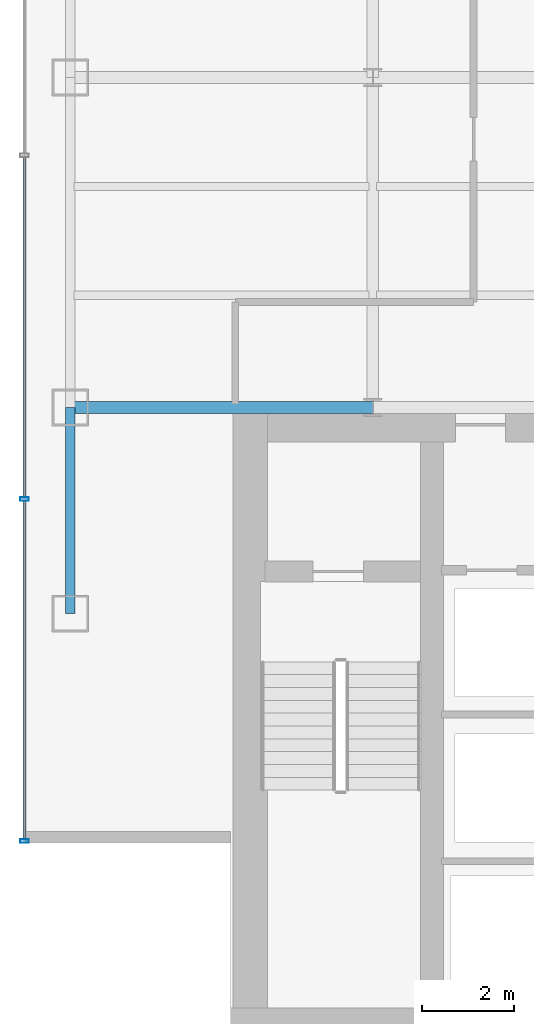
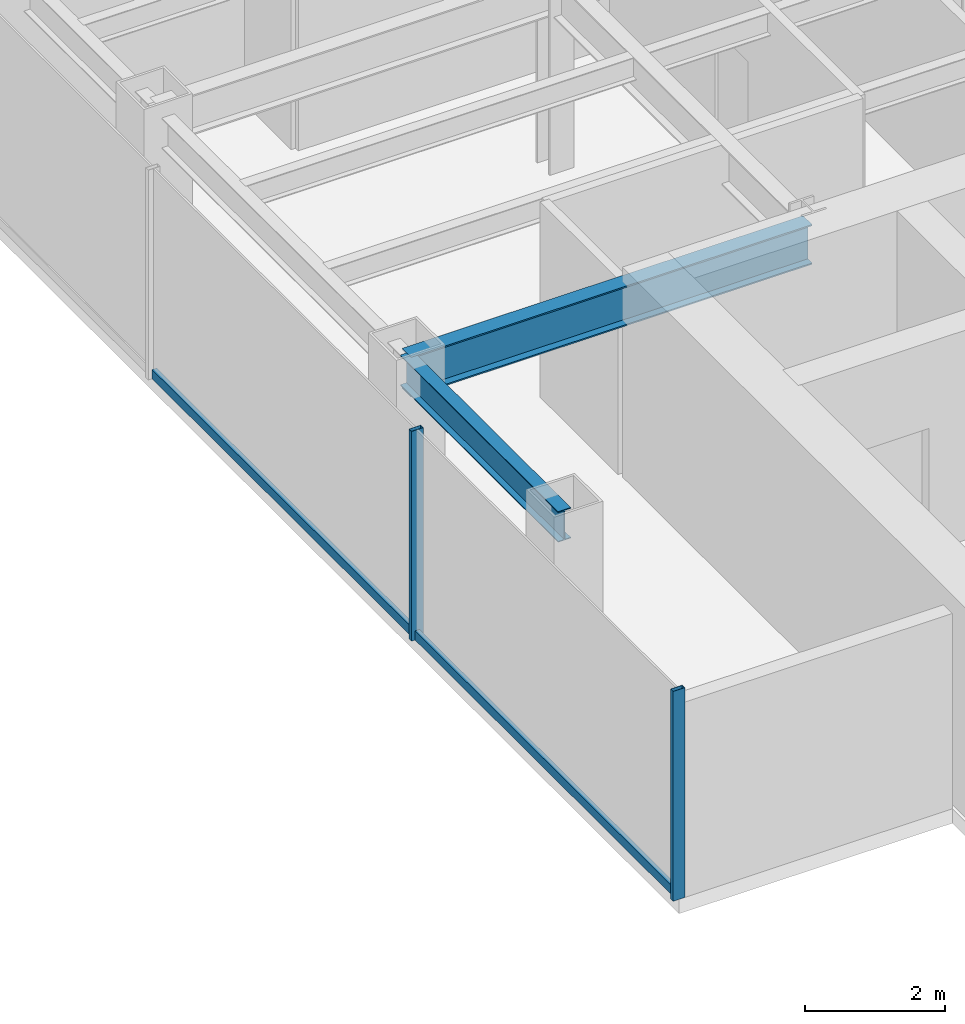
# One storey, part 2 of 26: 4 members, 2 beams, 1 element without a shape of its own.
"""IFC4 building model written with IfcOpenShell, lengths in metres."""

from ifc_helpers import new_model, si_unit, derived_unit, direction, frame, origin, origin_2d, place, context, subcontext, project, spatial, hollow_rectangle, i_section, extrude, source, transform, mapped, material, material_profile, profile_set, type_object, element, aggregate, save


model = new_model("IFC4")

# Units and contexts
model_context = context("Model", 3, precision=1e-05, world=origin(), true_north=direction((0.0, 1.0)))
body_context = subcontext(model_context, "Body", "Model", "MODEL_VIEW")
ifc_project = project(units=[si_unit("LENGTHUNIT", "METRE"), si_unit("AREAUNIT", "SQUARE_METRE"), si_unit("VOLUMEUNIT", "CUBIC_METRE"), si_unit("PLANEANGLEUNIT", "RADIAN"), si_unit("MASSUNIT", "GRAM", prefix="KILO"), derived_unit("THERMALTRANSMITTANCEUNIT", [(si_unit("POWERUNIT", "WATT"), 1), (si_unit("LENGTHUNIT", "METRE"), -2), (si_unit("THERMODYNAMICTEMPERATUREUNIT", "KELVIN"), -1)])], contexts=[model_context])

# Site, building, storey
site_placement = place(None, origin())
site = spatial("IfcSite", under=ifc_project, at=site_placement, CompositionType="ELEMENT")
building_placement = place(site_placement, origin())
building = spatial("IfcBuilding", under=site, at=building_placement, Name="Skarnbrae Concourse Arena and Tower", CompositionType="ELEMENT")
storey_placement = place(building_placement, frame((0.0, 0.0, 106.89990234375)))
storey = spatial("IfcBuildingStorey", under=building, at=storey_placement, Name="L26", CompositionType="ELEMENT", Elevation=106.89990234375)

# Beams
ifc_material_1 = material(Name="Steel CSA G40.21 350W", Category="steel")
ifc_material_profile_1 = material_profile(ifc_material_1, i_section(OverallWidth=0.256103515625, OverallDepth=0.693115234375, WebThickness=0.014404296875, FlangeThickness=0.023681640625, at=origin_2d()), Name="W690X170")
ifc_profile_set_1 = profile_set([ifc_material_profile_1], Name="Steel CSA G40.21 350W")
beam_type_1 = type_object("IfcBeamType", Name="BM-GIRD-W690X170", PredefinedType="BEAM", material=ifc_profile_set_1)
shared_shape_1 = source(origin(), body_context, "Body", "SweptSolid", [
    extrude(i_section(OverallWidth=0.256103515625, OverallDepth=0.693115234375, WebThickness=0.014404296875, FlangeThickness=0.023681640625, at=origin_2d()), origin(), (0.0, 0.0, 1.0), 6.60009765625),
])
beam_1_placement = place(storey_placement, frame((1.0, 14.0, 3.0537109375), z_axis=(1.0, 0.0, 0.0), x_axis=(0.0, 1.0, 0.0)))
element("IfcBeam", 1, at=beam_1_placement, inside=storey, type_object=beam_type_1, Name="L26 Primary E-W girder Y14.0-1", PredefinedType="BEAM", context=body_context, shape_type="MappedRepresentation", body=[
    mapped(shared_shape_1, transform((0.0, 0.0, 0.0))),
])
ifc_material_profile_2 = material_profile(ifc_material_1, i_section(OverallWidth=0.208984375, OverallDepth=0.532958984375, WebThickness=0.01025390625, FlangeThickness=0.015625, at=origin_2d()), Name="W530X92")
ifc_profile_set_2 = profile_set([ifc_material_profile_2], Name="Steel CSA G40.21 350W")
beam_type_2 = type_object("IfcBeamType", Name="BM-SPAN-W530X92", PredefinedType="SPANDREL", material=ifc_profile_set_2)
shared_shape_2 = source(origin(), body_context, "Body", "SweptSolid", [
    extrude(i_section(OverallWidth=0.208984375, OverallDepth=0.532958984375, WebThickness=0.01025390625, FlangeThickness=0.015625, at=origin_2d()), origin(), (0.0, 0.0, 1.0), 4.5),
])
beam_2_placement = place(storey_placement, frame((1.0, 9.5, 3.133544921875), z_axis=(0.0, 1.0, 0.0), x_axis=(-1.0, 0.0, 0.0)))
element("IfcBeam", 2, at=beam_2_placement, inside=storey, type_object=beam_type_2, Name="L26 Perimeter spandrel X1.0-1", PredefinedType="SPANDREL", context=body_context, shape_type="MappedRepresentation", body=[
    mapped(shared_shape_2, transform((0.0, 0.0, 0.0))),
])

# Curtain wall, members
ifc_material_2 = material(Name="Bronze anodised aluminium 6063-T6", Category="aluminium")
curtain_wall_type = type_object("IfcCurtainWallType", Name="CW-SYS-04-MIDZONE", PredefinedType="USERDEFINED", material=ifc_material_2)
curtain_wall_placement = place(storey_placement, origin())
curtain_wall = element("IfcCurtainWall", 3, at=curtain_wall_placement, inside=storey, type_object=curtain_wall_type, Name="L26 Unitised curtain wall CW-L26-E19", ObjectType="UNITISED CURTAIN WALL", PredefinedType="USERDEFINED")
ifc_material_profile_3 = material_profile(ifc_material_2, hollow_rectangle(XDim=0.074951171875, YDim=0.195068359375, WallThickness=0.00439453125, at=origin_2d()), Name="ALU-MULL-75X195")
ifc_profile_set_3 = profile_set([ifc_material_profile_3], Name="Bronze anodised aluminium 6063-T6")
member_type_1 = type_object("IfcMemberType", Name="CWM-CW-04", PredefinedType="MULLION", material=ifc_profile_set_3)
shared_shape_3 = source(origin(), body_context, "Body", "SweptSolid", [
    extrude(hollow_rectangle(XDim=0.074951171875, YDim=0.195068359375, WallThickness=0.00439453125, at=origin_2d()), origin(), (0.0, 0.0, 1.0), 3.650146484375),
])
member_1_placement = place(storey_placement, frame((0.0, 12.0, 0.0), z_axis=(0.0, 0.0, 1.0), x_axis=(0.0, -1.0, 0.0)))
member_1 = element("IfcMember", 4, at=member_1_placement, type_object=member_type_1, Name="CW-L26-E19 Mullion 4", PredefinedType="MULLION", context=body_context, shape_type="MappedRepresentation", body=[
    mapped(shared_shape_3, transform((0.0, 0.0, 0.0))),
])
member_2_placement = place(storey_placement, frame((0.0, 4.53759765625, 0.0), z_axis=(0.0, 0.0, 1.0), x_axis=(0.0, -1.0, 0.0)))
member_2 = element("IfcMember", 5, at=member_2_placement, type_object=member_type_1, Name="CW-L26-E19 Mullion 5", PredefinedType="MULLION", context=body_context, shape_type="MappedRepresentation", body=[
    mapped(shared_shape_3, transform((0.0, 0.0, 0.0))),
])
ifc_material_profile_4 = material_profile(ifc_material_2, hollow_rectangle(XDim=0.074951171875, YDim=0.159912109375, WallThickness=0.00439453125, at=origin_2d()), Name="ALU-TRAN-75X160")
ifc_profile_set_4 = profile_set([ifc_material_profile_4], Name="Bronze anodised aluminium 6063-T6")
member_type_2 = type_object("IfcMemberType", Name="CWT-CW-04", PredefinedType="USERDEFINED", material=ifc_profile_set_4)
shared_shape_4 = source(origin(), body_context, "Body", "SweptSolid", [
    extrude(hollow_rectangle(XDim=0.074951171875, YDim=0.159912109375, WallThickness=0.00439453125, at=origin_2d()), origin(), (0.0, 0.0, 1.0), 7.387451171875),
])
member_3_placement = place(storey_placement, frame((0.0, 11.96240234375, 0.080078125), z_axis=(0.0, -1.0, 0.0), x_axis=(1.0, 0.0, 0.0)))
member_3 = element("IfcMember", 6, at=member_3_placement, type_object=member_type_2, Name="CW-L26-E19 Transom 4", ObjectType="TRANSOM", PredefinedType="USERDEFINED", context=body_context, shape_type="MappedRepresentation", body=[
    mapped(shared_shape_4, transform((0.0, 0.0, 0.0))),
])
shared_shape_5 = source(origin(), body_context, "Body", "SweptSolid", [
    extrude(hollow_rectangle(XDim=0.074951171875, YDim=0.159912109375, WallThickness=0.00439453125, at=origin_2d()), origin(), (0.0, 0.0, 1.0), 7.4248046875),
])
member_4_placement = place(storey_placement, frame((0.0, 19.46240234375, 0.080078125), z_axis=(0.0, -1.0, 0.0), x_axis=(1.0, 0.0, 0.0)))
member_4 = element("IfcMember", 7, at=member_4_placement, type_object=member_type_2, Name="CW-L26-E19 Transom 3", ObjectType="TRANSOM", PredefinedType="USERDEFINED", context=body_context, shape_type="MappedRepresentation", body=[
    mapped(shared_shape_5, transform((0.0, 0.0, 0.0))),
])
aggregate(curtain_wall, [member_1, member_2, member_4, member_3])

save(model, "model.ifc")
